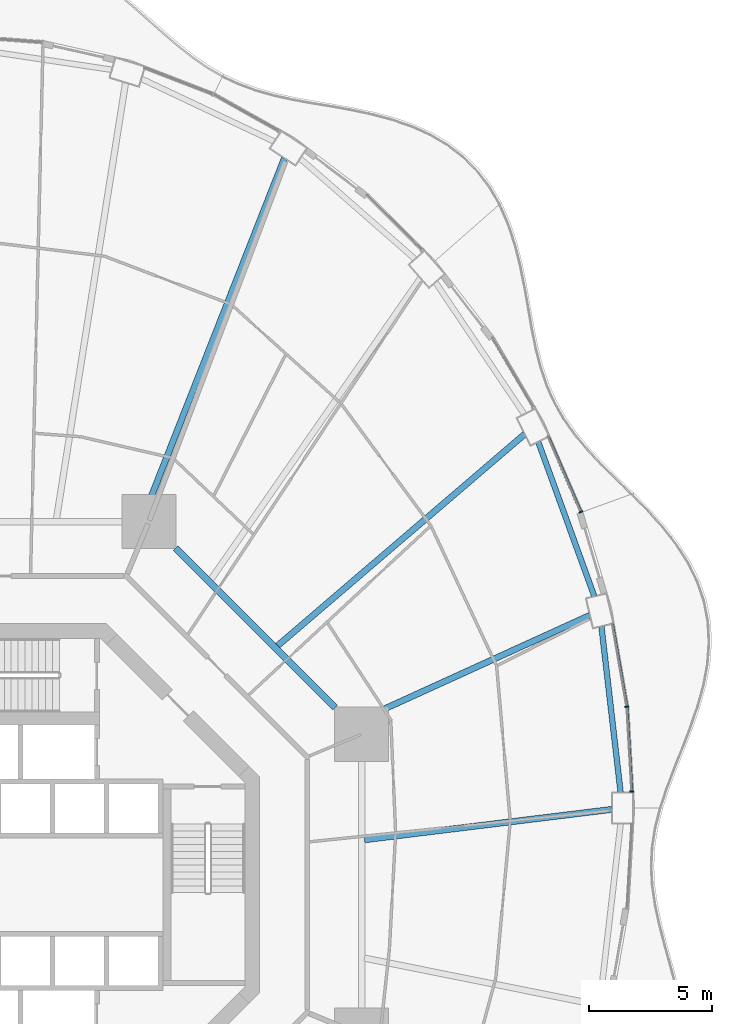
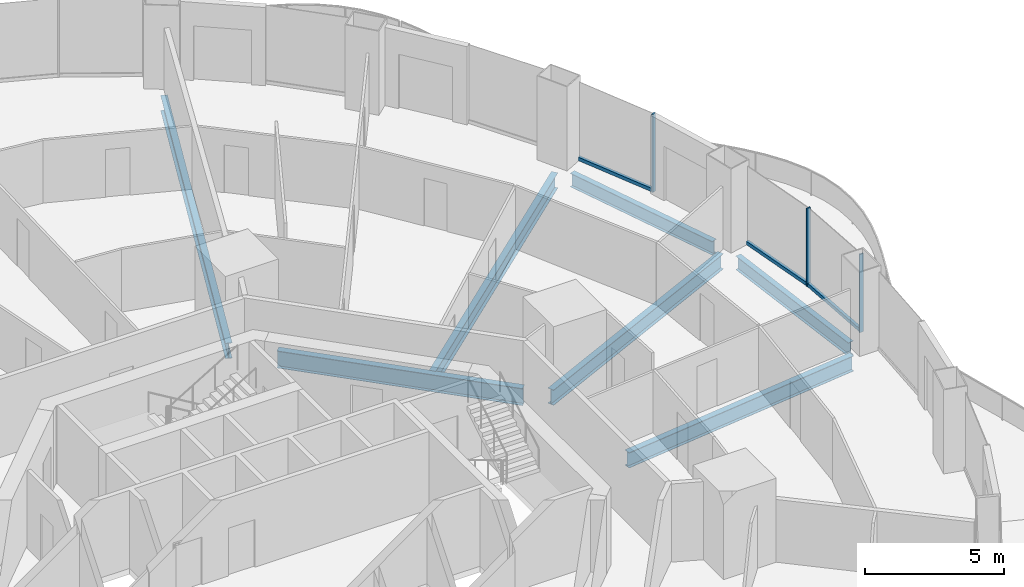
# One storey, part 10 of 22: 7 beams, 6 members, 3 elements without a shape of their own.
"""IFC4 building model written with IfcOpenShell, lengths in metres."""

from ifc_helpers import new_model, si_unit, direction, frame, origin, origin_2d, place, context, subcontext, project, spatial, rectangle, i_section, extrude, material, layer, layer_set, material_profile, profile_set, type_object, element, aggregate, save


model = new_model("IFC4")

# Units and contexts
model_context = context("Model", 3, precision=1e-05, world=origin(), true_north=direction((0.0, 1.0)))
body_context = subcontext(model_context, "Body", "Model", "MODEL_VIEW")
ifc_project = project(units=[si_unit("LENGTHUNIT", "METRE"), si_unit("AREAUNIT", "SQUARE_METRE"), si_unit("VOLUMEUNIT", "CUBIC_METRE"), si_unit("PLANEANGLEUNIT", "RADIAN"), si_unit("MASSUNIT", "GRAM", prefix="KILO")], contexts=[model_context])

# Site, building, storey
site_placement = place(None, origin())
site = spatial("IfcSite", under=ifc_project, at=site_placement, CompositionType="ELEMENT")
building_placement = place(site_placement, origin())
building = spatial("IfcBuilding", under=site, at=building_placement, Name="Nagisa Residences", CompositionType="ELEMENT")
storey_placement = place(building_placement, frame((0.0, 0.0, 99.199951171875)))
storey = spatial("IfcBuildingStorey", under=building, at=storey_placement, Name="L24", CompositionType="ELEMENT", Elevation=99.199951171875)

# Curtain wall, member
ifc_material_1 = material(Name="Concrete-coloured aluminium curtain wall system", Category="concrete")
ifc_layer = layer(ifc_material_1, 0.159912109375)
ifc_layer_set = layer_set([ifc_layer], Name="CW1 CURTAIN WALL")
curtain_wall_type = type_object("IfcCurtainWallType", Name="CW1 CURTAIN WALL", PredefinedType="NOTDEFINED", material=ifc_layer_set)
curtain_wall_1_placement = place(storey_placement, origin())
curtain_wall_1 = element("IfcCurtainWall", 1, at=curtain_wall_1_placement, inside=storey, type_object=curtain_wall_type, Name="cw:CW1:L24:00", PredefinedType="NOTDEFINED")
ifc_material_2 = material(Name="Concrete-coloured aluminium", Category="concrete")
ifc_material_profile_1 = material_profile(ifc_material_2, rectangle(XDim=0.159912109375, YDim=0.06005859375, at=origin_2d()), Name="CW1 MULLION 160x60")
ifc_profile_set_1 = profile_set([ifc_material_profile_1], Name="Concrete-coloured aluminium")
member_type_1 = type_object("IfcMemberType", Name="CW1 MULLION 160x60", PredefinedType="MULLION", material=ifc_profile_set_1)
member_1_placement = place(storey_placement, frame((25.776123046875, 3.7919921875, 0.0), z_axis=(0.0, 0.0, 1.0), x_axis=(-0.998345305184, -0.057503492216, 0.0)))
member_1 = element("IfcMember", 2, at=member_1_placement, type_object=member_type_1, Name="CW1 mullion", PredefinedType="MULLION", context=body_context, shape_type="SweptSolid", body=[
    extrude(rectangle(XDim=0.159912109375, YDim=0.06005859375, at=origin_2d()), origin(), (0.0, 0.0, 1.0), 3.43994140625),
])

curtain_wall_2_placement = place(storey_placement, origin())
curtain_wall_2 = element("IfcCurtainWall", 3, at=curtain_wall_2_placement, inside=storey, type_object=curtain_wall_type, Name="cw:CW1:L24:01", PredefinedType="NOTDEFINED")
member_2_placement = place(storey_placement, frame((25.573974609375, 7.2470703125, 0.0), z_axis=(0.0, 0.0, 1.0), x_axis=(-0.985063604377, -0.172190868898, 0.0)))
member_2 = element("IfcMember", 4, at=member_2_placement, type_object=member_type_1, Name="CW1 mullion", PredefinedType="MULLION", context=body_context, shape_type="SweptSolid", body=[
    extrude(rectangle(XDim=0.159912109375, YDim=0.06005859375, at=origin_2d()), origin(), (0.0, 0.0, 1.0), 3.43994140625),
])

curtain_wall_3_placement = place(storey_placement, origin())
curtain_wall_3 = element("IfcCurtainWall", 5, at=curtain_wall_3_placement, inside=storey, type_object=curtain_wall_type, Name="cw:CW1:L24:03", PredefinedType="NOTDEFINED")
member_3_placement = place(storey_placement, frame((23.701416015625, 15.173583984375, 0.0), z_axis=(0.0, 0.0, 1.0), x_axis=(-0.917543276295, -0.397635934147, 0.0)))
member_3 = element("IfcMember", 6, at=member_3_placement, type_object=member_type_1, Name="CW1 mullion", PredefinedType="MULLION", context=body_context, shape_type="SweptSolid", body=[
    extrude(rectangle(XDim=0.159912109375, YDim=0.06005859375, at=origin_2d()), origin(), (0.0, 0.0, 1.0), 3.43994140625),
])

# Member
ifc_material_3 = material(Name="Concrete-coloured aluminium", Category="concrete")
ifc_material_profile_2 = material_profile(ifc_material_3, rectangle(XDim=0.1201171875, YDim=0.14990234375, at=origin_2d()), Name="CW1 TRANSOM 120x150")
ifc_profile_set_2 = profile_set([ifc_material_profile_2], Name="Concrete-coloured aluminium")
member_type_2 = type_object("IfcMemberType", Name="CW1 TRANSOM 120x150", PredefinedType="USERDEFINED", material=ifc_profile_set_2)
member_4_placement = place(storey_placement, frame((25.77783203125, 3.761962890625, 0.074951171875), z_axis=(-0.057546644052, 0.998342818754, 0.0), x_axis=(-0.998342818754, -0.057546644052, 0.0)))
member_4 = element("IfcMember", 7, at=member_4_placement, type_object=member_type_2, Name="CW1 transom", ObjectType="TRANSOM", PredefinedType="USERDEFINED", context=body_context, shape_type="SweptSolid", body=[
    extrude(rectangle(XDim=0.1201171875, YDim=0.14990234375, at=origin_2d()), origin(), (0.0, 0.0, 1.0), 3.470458984375),
])

aggregate(curtain_wall_1, [member_1, member_4])

member_5_placement = place(storey_placement, frame((25.579345703125, 7.217529296875, 0.074951171875), z_axis=(-0.17223289558, 0.985056257114, 0.0), x_axis=(-0.985056257114, -0.17223289558, 0.0)))
member_5 = element("IfcMember", 8, at=member_5_placement, type_object=member_type_2, Name="CW1 transom", ObjectType="TRANSOM", PredefinedType="USERDEFINED", context=body_context, shape_type="SweptSolid", body=[
    extrude(rectangle(XDim=0.1201171875, YDim=0.14990234375, at=origin_2d()), origin(), (0.0, 0.0, 1.0), 3.454345703125),
])

aggregate(curtain_wall_2, [member_2, member_5])

member_6_placement = place(storey_placement, frame((23.71337890625, 15.146240234375, 0.074951171875), z_axis=(-0.397621629246, 0.917549475481, 0.0), x_axis=(-0.917549475481, -0.397621629246, 0.0)))
member_6 = element("IfcMember", 9, at=member_6_placement, type_object=member_type_2, Name="CW1 transom", ObjectType="TRANSOM", PredefinedType="USERDEFINED", context=body_context, shape_type="SweptSolid", body=[
    extrude(rectangle(XDim=0.1201171875, YDim=0.14990234375, at=origin_2d()), origin(), (0.0, 0.0, 1.0), 3.37939453125),
])

aggregate(curtain_wall_3, [member_3, member_6])

# Beams
ifc_material_4 = material(Name="Steel ASTM A572 Gr 50", Category="steel")
ifc_material_profile_3 = material_profile(ifc_material_4, i_section(OverallWidth=0.264892578125, OverallDepth=0.7529296875, WebThickness=0.01318359375, FlangeThickness=0.01708984375, at=origin_2d()), Name="W760x147")
ifc_profile_set_3 = profile_set([ifc_material_profile_3], Name="Steel ASTM A572 Gr 50")
beam_type_1 = type_object("IfcBeamType", Name="Inner ring beam W760x147", PredefinedType="BEAM", material=ifc_profile_set_3)
beam_1_placement = place(storey_placement, frame((13.6962890625, 7.208740234375, -0.636474609375), z_axis=(-0.707106781187, 0.707106781187, 0.0), x_axis=(-0.707106781187, -0.707106781187, 0.0)))
element("IfcBeam", 10, at=beam_1_placement, inside=storey, type_object=beam_type_1, Name="beam:L24:ib1", PredefinedType="BEAM", context=body_context, shape_type="SweptSolid", body=[
    extrude(i_section(OverallWidth=0.264892578125, OverallDepth=0.7529296875, WebThickness=0.01318359375, FlangeThickness=0.01708984375, at=origin_2d()), origin(), (0.0, 0.0, 1.0), 9.1748046875),
])
ifc_material_5 = material(Name="Steel ASTM A572 Gr 50", Category="steel")
ifc_material_profile_4 = material_profile(ifc_material_5, i_section(OverallWidth=0.22802734375, OverallDepth=0.60302734375, WebThickness=0.010498046875, FlangeThickness=0.014892578125, at=origin_2d()), Name="W610x101")
ifc_profile_set_4 = profile_set([ifc_material_profile_4], Name="Steel ASTM A572 Gr 50")
beam_type_2 = type_object("IfcBeamType", Name="Perimeter ring beam W610x101", PredefinedType="BEAM", material=ifc_profile_set_4)
beam_2_placement = place(storey_placement, frame((25.322265625, 3.747802734375, -0.5615234375), z_axis=(-0.114690766503, 0.993401242237, 0.0), x_axis=(-0.993401242237, -0.114690766503, 0.0)))
element("IfcBeam", 11, at=beam_2_placement, inside=storey, type_object=beam_type_2, Name="beam:L24:pb01", PredefinedType="BEAM", context=body_context, shape_type="SweptSolid", body=[
    extrude(i_section(OverallWidth=0.22802734375, OverallDepth=0.60302734375, WebThickness=0.010498046875, FlangeThickness=0.014892578125, at=origin_2d()), origin(), (0.0, 0.0, 1.0), 6.811767578125),
])
beam_3_placement = place(storey_placement, frame((24.251708984375, 11.7412109375, -0.5615234375), z_axis=(-0.341365002286, 0.939930814057, 0.0), x_axis=(-0.939930814057, -0.341365002286, 0.0)))
element("IfcBeam", 12, at=beam_3_placement, inside=storey, type_object=beam_type_2, Name="beam:L24:pb02", PredefinedType="BEAM", context=body_context, shape_type="SweptSolid", body=[
    extrude(i_section(OverallWidth=0.22802734375, OverallDepth=0.60302734375, WebThickness=0.010498046875, FlangeThickness=0.014892578125, at=origin_2d()), origin(), (0.0, 0.0, 1.0), 6.689208984375),
])
ifc_material_6 = material(Name="Steel ASTM A572 Gr 50", Category="steel")
ifc_material_profile_5 = material_profile(ifc_material_6, i_section(OverallWidth=0.2529296875, OverallDepth=0.677978515625, WebThickness=0.01171875, FlangeThickness=0.016357421875, at=origin_2d()), Name="W690x125")
ifc_profile_set_5 = profile_set([ifc_material_profile_5], Name="Steel ASTM A572 Gr 50")
beam_type_3 = type_object("IfcBeamType", Name="Radial beam W690x125", PredefinedType="BEAM", material=ifc_profile_set_5)
beam_4_placement = place(storey_placement, frame((24.96484375, 3.06494140625, -0.598876953125), z_axis=(-0.992547591761, -0.121857614, 0.0), x_axis=(0.121857614, -0.992547591761, 0.0)))
element("IfcBeam", 13, at=beam_4_placement, inside=storey, type_object=beam_type_3, Name="beam:L24:rb01", PredefinedType="BEAM", context=body_context, shape_type="SweptSolid", body=[
    extrude(i_section(OverallWidth=0.2529296875, OverallDepth=0.677978515625, WebThickness=0.01171875, FlangeThickness=0.016357421875, at=origin_2d()), origin(), (0.0, 0.0, 1.0), 10.145751953125),
])
beam_5_placement = place(storey_placement, frame((24.069091796875, 10.963134765625, -0.598876953125), z_axis=(-0.91004744246, -0.414504104288, 0.0), x_axis=(0.414504104288, -0.91004744246, 0.0)))
element("IfcBeam", 14, at=beam_5_placement, inside=storey, type_object=beam_type_3, Name="beam:L24:rb02", PredefinedType="BEAM", context=body_context, shape_type="SweptSolid", body=[
    extrude(i_section(OverallWidth=0.2529296875, OverallDepth=0.677978515625, WebThickness=0.01171875, FlangeThickness=0.016357421875, at=origin_2d()), origin(), (0.0, 0.0, 1.0), 10.544189453125),
])
beam_6_placement = place(storey_placement, frame((21.4150390625, 18.3369140625, -0.598876953125), z_axis=(-0.759585472841, -0.650407494921, 0.0), x_axis=(0.650407494921, -0.759585472841, 0.0)))
element("IfcBeam", 15, at=beam_6_placement, inside=storey, type_object=beam_type_3, Name="beam:L24:rb03", PredefinedType="BEAM", context=body_context, shape_type="SweptSolid", body=[
    extrude(i_section(OverallWidth=0.2529296875, OverallDepth=0.677978515625, WebThickness=0.01171875, FlangeThickness=0.016357421875, at=origin_2d()), origin(), (0.0, 0.0, 1.0), 13.25390625),
])
beam_7_placement = place(storey_placement, frame((11.636474609375, 29.568359375, -0.598876953125), z_axis=(-0.366203217464, -0.930534901828, 0.0), x_axis=(0.930534901828, -0.366203217464, 0.0)))
element("IfcBeam", 16, at=beam_7_placement, inside=storey, type_object=beam_type_3, Name="beam:L24:rb05", PredefinedType="BEAM", context=body_context, shape_type="SweptSolid", body=[
    extrude(i_section(OverallWidth=0.2529296875, OverallDepth=0.677978515625, WebThickness=0.01171875, FlangeThickness=0.016357421875, at=origin_2d()), origin(), (0.0, 0.0, 1.0), 15.767578125),
])

save(model, "model.ifc")
